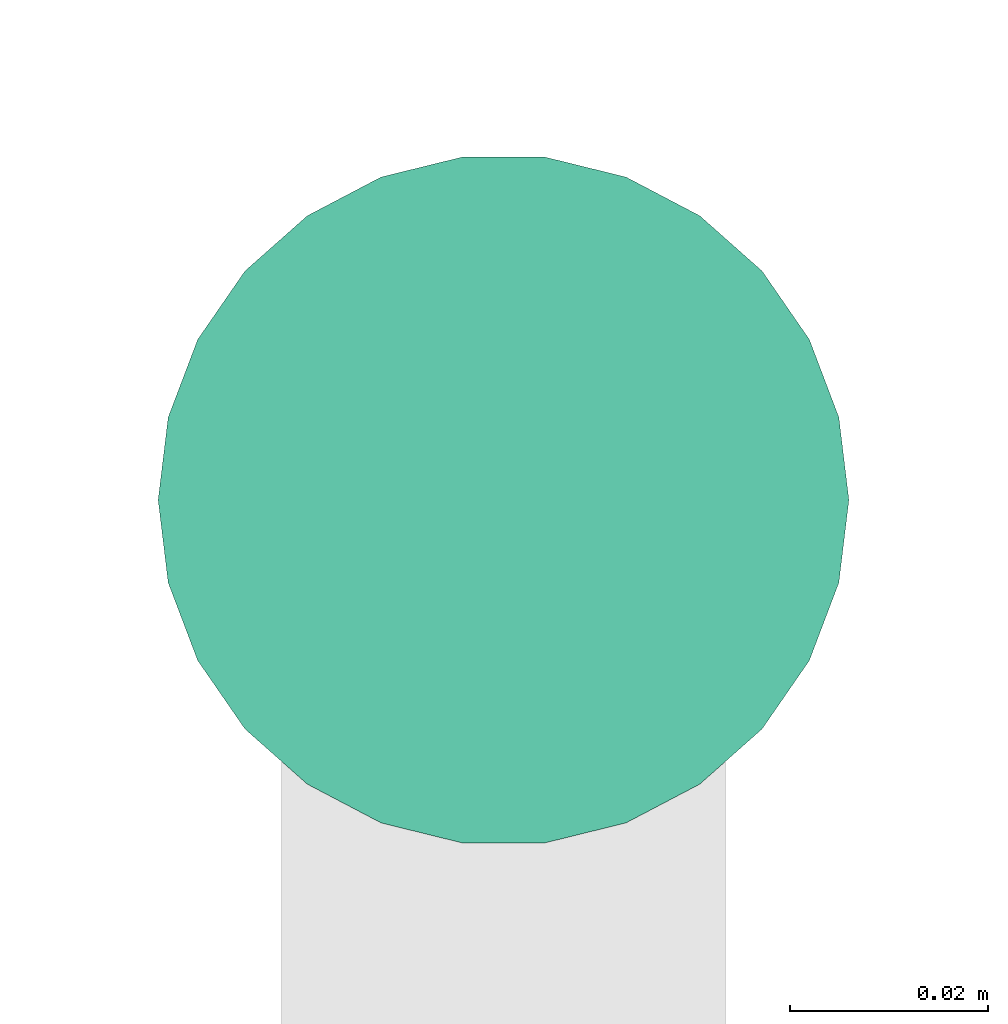
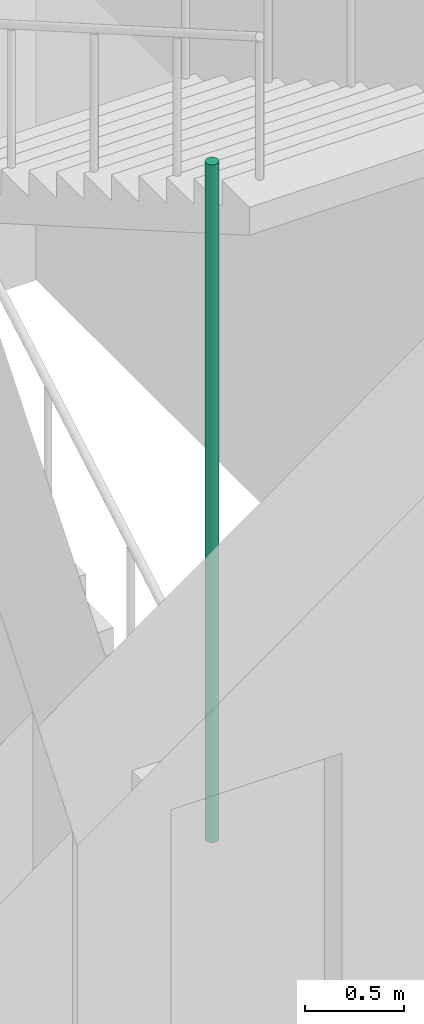
# One storey, part 35 of 38: 1 pipe segment.
"""IFC4 building model written with IfcOpenShell, lengths in metres."""

from ifc_helpers import new_model, si_unit, direction, frame, origin, origin_2d, place, context, subcontext, project, spatial, circle, extrude, element, save


model = new_model("IFC4")

# Units and contexts
model_context = context("Model", 3, precision=1e-05, world=origin(), true_north=direction((0.0, 1.0)))
body_context = subcontext(model_context, "Body", "Model", "MODEL_VIEW")
ifc_project = project(units=[si_unit("LENGTHUNIT", "METRE"), si_unit("AREAUNIT", "SQUARE_METRE"), si_unit("VOLUMEUNIT", "CUBIC_METRE"), si_unit("PLANEANGLEUNIT", "RADIAN"), si_unit("MASSUNIT", "GRAM", prefix="KILO")], contexts=[model_context])

# Site, building, storey
site_placement = place(None, origin())
site = spatial("IfcSite", under=ifc_project, at=site_placement, CompositionType="ELEMENT")
building_placement = place(site_placement, origin())
building = spatial("IfcBuilding", under=site, at=building_placement, Name="Nzadi Deep Aquarium and Research Tower", CompositionType="ELEMENT")
storey_placement = place(building_placement, frame((0.0, 0.0, 52.89990234375)))
storey = spatial("IfcBuildingStorey", under=building, at=storey_placement, Name="L10", CompositionType="ELEMENT", Elevation=52.89990234375)

# Pipe segment
pipe_segment_placement = place(storey_placement, frame((25.10009765625, 13.719970703125, 0.0), z_axis=(0.0, 0.0, 1.0), x_axis=(1.0, 0.0, 0.0)))
element("IfcPipeSegment", 1, at=pipe_segment_placement, inside=storey, Name="Dry riser ST-Z1-SE L10", PredefinedType="RIGIDSEGMENT", context=body_context, shape_type="SweptSolid", body=[
    extrude(circle(Radius=0.034912109375, at=origin_2d()), origin(), (0.0, 0.0, 1.0), 4.2001953125),
])

save(model, "model.ifc")
